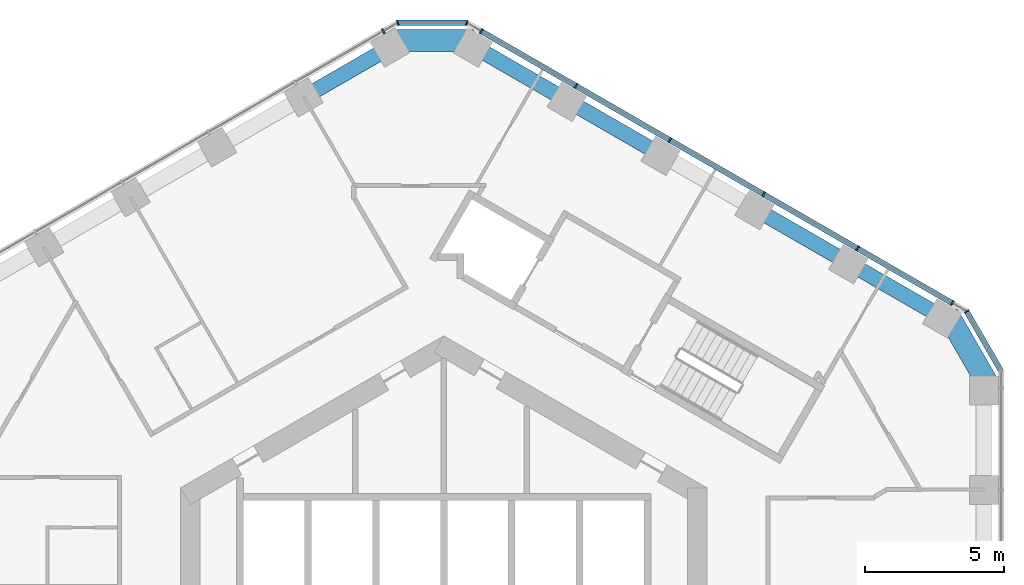
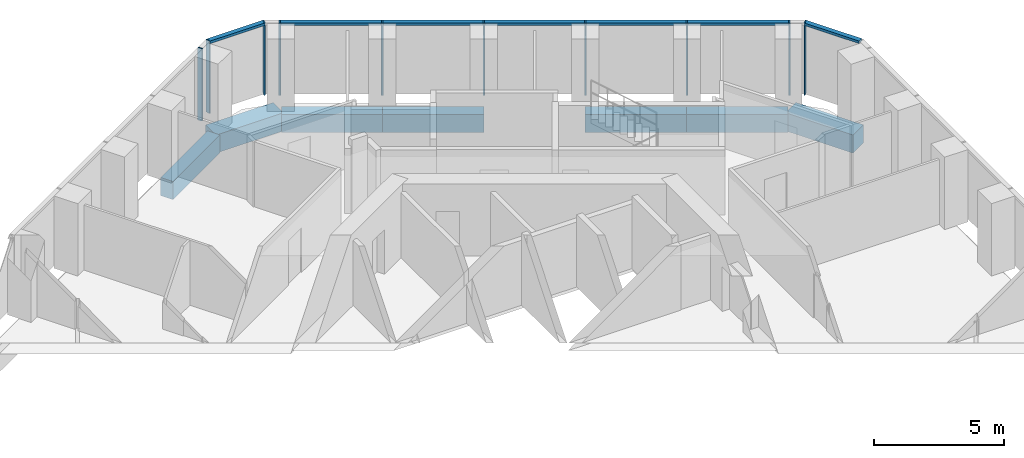
# One storey, part 7 of 19: 13 members, 7 beams, 4 elements without a shape of their own.
"""IFC4 building model written with IfcOpenShell, lengths in metres."""

from ifc_helpers import new_model, si_unit, direction, frame, origin, origin_2d, place, context, subcontext, project, spatial, rectangle, extrude, material, layer, layer_set, material_profile, profile_set, type_object, element, aggregate, save


model = new_model("IFC4")

# Units and contexts
model_context = context("Model", 3, precision=1e-05, world=origin(), true_north=direction((0.0, 1.0)))
body_context = subcontext(model_context, "Body", "Model", "MODEL_VIEW")
ifc_project = project(units=[si_unit("LENGTHUNIT", "METRE"), si_unit("AREAUNIT", "SQUARE_METRE"), si_unit("VOLUMEUNIT", "CUBIC_METRE"), si_unit("PLANEANGLEUNIT", "RADIAN"), si_unit("MASSUNIT", "GRAM", prefix="KILO")], contexts=[model_context])

# Site, building, storey
site_placement = place(None, origin())
site = spatial("IfcSite", under=ifc_project, at=site_placement, CompositionType="ELEMENT")
building_placement = place(site_placement, origin())
building = spatial("IfcBuilding", under=site, at=building_placement, Name="Ayvan Gate Tower", CompositionType="ELEMENT")
storey_placement = place(building_placement, frame((0.0, 0.0, 106.89990234375)))
storey = spatial("IfcBuildingStorey", under=building, at=storey_placement, Name="L28", CompositionType="ELEMENT", Elevation=106.89990234375)

# Beams
ifc_material_1 = material(Name="Concrete C40/50", Category="concrete")
ifc_material_profile_1 = material_profile(ifc_material_1, rectangle(XDim=0.800048828125, YDim=0.85009765625, at=origin_2d()), Name="RC 800x850")
ifc_profile_set_1 = profile_set([ifc_material_profile_1], Name="Concrete C40/50")
beam_type_1 = type_object("IfcBeamType", Name="Corner spandrel beam RC 800x850 C40/50", PredefinedType="BEAM", material=ifc_profile_set_1)
for number, where, z_axis, x_axis, name in (
    (1, (19.676025390625, 9.163818359375, -0.77490234375), (-0.499990139034, 0.866031096941, 0.0), (-0.866031096941, -0.499990139034, 0.0), "SB-L28-6"),
    (2, (1.09814453125, 21.621826171875, -0.77490234375), (-1.0, 0.0, 0.0), (0.0, -1.0, 0.0), "SB-L28-12"),
):
    element("IfcBeam", number, at=place(storey_placement, frame(where, z_axis=z_axis, x_axis=x_axis)), inside=storey, type_object=beam_type_1, Name=name, PredefinedType="BEAM", context=body_context, shape_type="SweptSolid", body=[
        extrude(rectangle(XDim=0.800048828125, YDim=0.85009765625, at=origin_2d()), origin(), (0.0, 0.0, 1.0), 3.0),
    ])
ifc_material_profile_2 = material_profile(ifc_material_1, rectangle(XDim=0.550048828125, YDim=0.85009765625, at=origin_2d()), Name="RC 550x850")
ifc_profile_set_2 = profile_set([ifc_material_profile_2], Name="Concrete C40/50")
beam_type_2 = type_object("IfcBeamType", Name="Spandrel beam RC 550x850 C40/50", PredefinedType="BEAM", material=ifc_profile_set_2)
for number, where, z_axis, x_axis, name in (
    (3, (17.985595703125, 11.65185546875, -0.77490234375), (-0.866000020948, 0.500043961785, 0.0), (-0.500043961785, -0.866000020948, 0.0), "SB-L28-7"),
    (4, (14.608154296875, 13.60205078125, -0.77490234375), (-0.866042777325, 0.499969906938, 0.0), (-0.499969906938, -0.866042777325, 0.0), "SB-L28-8"),
):
    element("IfcBeam", number, at=place(storey_placement, frame(where, z_axis=z_axis, x_axis=x_axis)), inside=storey, type_object=beam_type_2, Name=name, PredefinedType="BEAM", context=body_context, shape_type="SweptSolid", body=[
        extrude(rectangle(XDim=0.550048828125, YDim=0.85009765625, at=origin_2d()), origin(), (0.0, 0.0, 1.0), 3.900146484375),
    ])
for number, where, z_axis, x_axis, name in (
    (5, (7.85302734375, 17.501953125, -0.77490234375), (-0.866027128446, 0.499997012787, 0.0), (-0.499997012787, -0.866027128446, 0.0), "SB-L28-10"),
    (6, (4.4755859375, 19.451904296875, -0.77490234375), (-0.866027128446, 0.499997012787, 0.0), (-0.499997012787, -0.866027128446, 0.0), "SB-L28-11"),
):
    element("IfcBeam", number, at=place(storey_placement, frame(where, z_axis=z_axis, x_axis=x_axis)), inside=storey, type_object=beam_type_2, Name=name, PredefinedType="BEAM", context=body_context, shape_type="SweptSolid", body=[
        extrude(rectangle(XDim=0.550048828125, YDim=0.85009765625, at=origin_2d()), origin(), (0.0, 0.0, 1.0), 3.89990234375),
    ])
beam_placement = place(storey_placement, frame((-1.90185546875, 21.40185546875, -0.77490234375), z_axis=(-0.866031793627, -0.499988932305, 0.0), x_axis=(0.499988932305, -0.866031793627, 0.0)))
element("IfcBeam", 7, at=beam_placement, inside=storey, type_object=beam_type_2, Name="SB-L28-13", PredefinedType="BEAM", context=body_context, shape_type="SweptSolid", body=[
    extrude(rectangle(XDim=0.550048828125, YDim=0.85009765625, at=origin_2d()), origin(), (0.0, 0.0, 1.0), 3.62158203125),
])

# Curtain wall, member
ifc_material_2 = material(Name="Bronze anodised aluminium", Category="aluminium")
ifc_layer_1 = layer(ifc_material_2, 0.199951171875)
ifc_layer_set_1 = layer_set([ifc_layer_1], Name="Bronze anodised aluminium")
curtain_wall_type_1 = type_object("IfcCurtainWallType", Name="Stick curtain wall CW-1", PredefinedType="NOTDEFINED", material=ifc_layer_set_1)
curtain_wall_1_placement = place(storey_placement, origin())
curtain_wall_1 = element("IfcCurtainWall", 8, at=curtain_wall_1_placement, inside=storey, type_object=curtain_wall_type_1, Name="Stick curtain wall CW-1 L28", PredefinedType="NOTDEFINED")
ifc_material_profile_3 = material_profile(ifc_material_2, rectangle(XDim=0.199951171875, YDim=0.06005859375, at=origin_2d()), Name="Stick curtain wall CW-1 mullion 200 x 60")
ifc_profile_set_3 = profile_set([ifc_material_profile_3], Name="Bronze anodised aluminium")
member_type_1 = type_object("IfcMemberType", Name="Stick curtain wall CW-1 mullion 200 x 60", PredefinedType="MULLION", material=ifc_profile_set_3)
member_1_placement = place(storey_placement, frame((-2.1826171875, 21.96142578125, 0.0), z_axis=(0.0, 0.0, 1.0), x_axis=(-0.5, 0.866025403784, 0.0)))
member_1 = element("IfcMember", 9, at=member_1_placement, type_object=member_type_1, Name="CW-1 mullion 1", PredefinedType="MULLION", context=body_context, shape_type="SweptSolid", body=[
    extrude(rectangle(XDim=0.199951171875, YDim=0.06005859375, at=origin_2d()), origin(), (0.0, 0.0, 1.0), 3.400146484375),
])
aggregate(curtain_wall_1, [member_1])

# Curtain wall, members
curtain_wall_2_placement = place(storey_placement, origin())
curtain_wall_2 = element("IfcCurtainWall", 10, at=curtain_wall_2_placement, inside=storey, type_object=curtain_wall_type_1, Name="Stick curtain wall CW-1 L28", PredefinedType="NOTDEFINED")
member_2_placement = place(storey_placement, frame((18.34326171875, 12.1513671875, 0.0), z_axis=(0.0, 0.0, 1.0), x_axis=(0.5, 0.866025403784, 0.0)))
member_2 = element("IfcMember", 11, at=member_2_placement, type_object=member_type_1, Name="CW-1 mullion 1", PredefinedType="MULLION", context=body_context, shape_type="SweptSolid", body=[
    extrude(rectangle(XDim=0.199951171875, YDim=0.06005859375, at=origin_2d()), origin(), (0.0, 0.0, 1.0), 3.400146484375),
])
member_3_placement = place(storey_placement, frame((14.9267578125, 14.1240234375, 0.0), z_axis=(0.0, 0.0, 1.0), x_axis=(0.5, 0.866025403784, 0.0)))
member_3 = element("IfcMember", 12, at=member_3_placement, type_object=member_type_1, Name="CW-1 mullion 2", PredefinedType="MULLION", context=body_context, shape_type="SweptSolid", body=[
    extrude(rectangle(XDim=0.199951171875, YDim=0.06005859375, at=origin_2d()), origin(), (0.0, 0.0, 1.0), 3.400146484375),
])
member_4_placement = place(storey_placement, frame((11.540771484375, 16.078857421875, 0.0), z_axis=(0.0, 0.0, 1.0), x_axis=(0.5, 0.866025403784, 0.0)))
member_4 = element("IfcMember", 13, at=member_4_placement, type_object=member_type_1, Name="CW-1 mullion 3", PredefinedType="MULLION", context=body_context, shape_type="SweptSolid", body=[
    extrude(rectangle(XDim=0.199951171875, YDim=0.06005859375, at=origin_2d()), origin(), (0.0, 0.0, 1.0), 3.400146484375),
])
member_5_placement = place(storey_placement, frame((8.154541015625, 18.033935546875, 0.0), z_axis=(0.0, 0.0, 1.0), x_axis=(0.5, 0.866025403784, 0.0)))
member_5 = element("IfcMember", 14, at=member_5_placement, type_object=member_type_1, Name="CW-1 mullion 4", PredefinedType="MULLION", context=body_context, shape_type="SweptSolid", body=[
    extrude(rectangle(XDim=0.199951171875, YDim=0.06005859375, at=origin_2d()), origin(), (0.0, 0.0, 1.0), 3.400146484375),
])
member_6_placement = place(storey_placement, frame((4.768310546875, 19.989013671875, 0.0), z_axis=(0.0, 0.0, 1.0), x_axis=(0.5, 0.866025403784, 0.0)))
member_6 = element("IfcMember", 15, at=member_6_placement, type_object=member_type_1, Name="CW-1 mullion 5", PredefinedType="MULLION", context=body_context, shape_type="SweptSolid", body=[
    extrude(rectangle(XDim=0.199951171875, YDim=0.06005859375, at=origin_2d()), origin(), (0.0, 0.0, 1.0), 3.400146484375),
])
member_7_placement = place(storey_placement, frame((1.351806640625, 21.96142578125, 0.0), z_axis=(0.0, 0.0, 1.0), x_axis=(0.5, 0.866025403784, 0.0)))
member_7 = element("IfcMember", 16, at=member_7_placement, type_object=member_type_1, Name="CW-1 mullion 6", PredefinedType="MULLION", context=body_context, shape_type="SweptSolid", body=[
    extrude(rectangle(XDim=0.199951171875, YDim=0.06005859375, at=origin_2d()), origin(), (0.0, 0.0, 1.0), 3.400146484375),
])
ifc_material_profile_4 = material_profile(ifc_material_2, rectangle(XDim=0.199951171875, YDim=0.1201171875, at=origin_2d()), Name="Stick curtain wall CW-1 transom 200 x 120")
ifc_profile_set_4 = profile_set([ifc_material_profile_4], Name="Bronze anodised aluminium")
member_type_2 = type_object("IfcMemberType", Name="Stick curtain wall CW-1 transom 200 x 120", PredefinedType="USERDEFINED", material=ifc_profile_set_4)
member_8_placement = place(storey_placement, frame((18.34326171875, 12.1513671875, 3.340087890625), z_axis=(-0.866024577697, 0.500001430823, 0.0), x_axis=(-0.500001430823, -0.866024577697, 0.0)))
member_8 = element("IfcMember", 17, at=member_8_placement, type_object=member_type_2, Name="CW-1 transom 1", ObjectType="TRANSOM", PredefinedType="USERDEFINED", context=body_context, shape_type="SweptSolid", body=[
    extrude(rectangle(XDim=0.199951171875, YDim=0.1201171875, at=origin_2d()), origin(), (0.0, 0.0, 1.0), 19.6201171875),
])
aggregate(curtain_wall_2, [member_2, member_3, member_4, member_5, member_6, member_7, member_8])

# Curtain wall, member
ifc_layer_2 = layer(ifc_material_2, 0.199951171875)
ifc_layer_set_2 = layer_set([ifc_layer_2], Name="Bronze anodised aluminium")
curtain_wall_type_2 = type_object("IfcCurtainWallType", Name="Stick curtain wall CW-6", PredefinedType="NOTDEFINED", material=ifc_layer_set_2)
curtain_wall_3_placement = place(storey_placement, origin())
curtain_wall_3 = element("IfcCurtainWall", 18, at=curtain_wall_3_placement, inside=storey, type_object=curtain_wall_type_2, Name="Stick curtain wall CW-6 L28", PredefinedType="NOTDEFINED")
ifc_material_profile_5 = material_profile(ifc_material_2, rectangle(XDim=0.199951171875, YDim=0.050048828125, at=origin_2d()), Name="Stick curtain wall CW-6 mullion 200 x 50")
ifc_profile_set_5 = profile_set([ifc_material_profile_5], Name="Bronze anodised aluminium")
member_type_3 = type_object("IfcMemberType", Name="Stick curtain wall CW-6 mullion 200 x 50", PredefinedType="MULLION", material=ifc_profile_set_5)
member_9_placement = place(storey_placement, frame((18.8671875, 11.848876953125, 0.0), z_axis=(0.0, 0.0, 1.0), x_axis=(0.707106781187, 0.707106781187, 0.0)))
member_9 = element("IfcMember", 19, at=member_9_placement, type_object=member_type_3, Name="CW-6 mullion 3", PredefinedType="MULLION", context=body_context, shape_type="SweptSolid", body=[
    extrude(rectangle(XDim=0.199951171875, YDim=0.050048828125, at=origin_2d()), origin(), (0.0, 0.0, 1.0), 3.400146484375),
])

# Curtain wall, members
curtain_wall_4_placement = place(storey_placement, origin())
curtain_wall_4 = element("IfcCurtainWall", 20, at=curtain_wall_4_placement, inside=storey, type_object=curtain_wall_type_2, Name="Stick curtain wall CW-6 L28", PredefinedType="NOTDEFINED")
member_10_placement = place(storey_placement, frame((0.827880859375, 22.263916015625, 0.0), z_axis=(0.0, 0.0, 1.0), x_axis=(0.258819045103, 0.965925826289, 0.0)))
member_10 = element("IfcMember", 21, at=member_10_placement, type_object=member_type_3, Name="CW-6 mullion 2", PredefinedType="MULLION", context=body_context, shape_type="SweptSolid", body=[
    extrude(rectangle(XDim=0.199951171875, YDim=0.050048828125, at=origin_2d()), origin(), (0.0, 0.0, 1.0), 3.400146484375),
])
member_11_placement = place(storey_placement, frame((-1.65869140625, 22.263916015625, 0.0), z_axis=(0.0, 0.0, 1.0), x_axis=(-0.258819045103, 0.965925826289, 0.0)))
member_11 = element("IfcMember", 22, at=member_11_placement, type_object=member_type_3, Name="CW-6 mullion 3", PredefinedType="MULLION", context=body_context, shape_type="SweptSolid", body=[
    extrude(rectangle(XDim=0.199951171875, YDim=0.050048828125, at=origin_2d()), origin(), (0.0, 0.0, 1.0), 3.400146484375),
])

# Member
ifc_material_profile_6 = material_profile(ifc_material_2, rectangle(XDim=0.199951171875, YDim=0.1201171875, at=origin_2d()), Name="Stick curtain wall CW-6 transom 200 x 120")
ifc_profile_set_6 = profile_set([ifc_material_profile_6], Name="Bronze anodised aluminium")
member_type_4 = type_object("IfcMemberType", Name="Stick curtain wall CW-6 transom 200 x 120", PredefinedType="USERDEFINED", material=ifc_profile_set_6)
member_12_placement = place(storey_placement, frame((20.09814453125, 9.71728515625, 3.340087890625), z_axis=(-0.499997116, 0.866027068856, 0.0), x_axis=(-0.866027068856, -0.499997116, 0.0)))
member_12 = element("IfcMember", 23, at=member_12_placement, type_object=member_type_4, Name="CW-6 transom 2", ObjectType="TRANSOM", PredefinedType="USERDEFINED", context=body_context, shape_type="SweptSolid", body=[
    extrude(rectangle(XDim=0.199951171875, YDim=0.1201171875, at=origin_2d()), origin(), (0.0, 0.0, 1.0), 2.4365234375),
])

aggregate(curtain_wall_3, [member_9, member_12])

member_13_placement = place(storey_placement, frame((0.802734375, 22.263916015625, 3.340087890625), z_axis=(-1.0, 0.0, 0.0), x_axis=(0.0, -1.0, 0.0)))
member_13 = element("IfcMember", 24, at=member_13_placement, type_object=member_type_4, Name="CW-6 transom 2", ObjectType="TRANSOM", PredefinedType="USERDEFINED", context=body_context, shape_type="SweptSolid", body=[
    extrude(rectangle(XDim=0.199951171875, YDim=0.1201171875, at=origin_2d()), origin(), (0.0, 0.0, 1.0), 2.4365234375),
])

aggregate(curtain_wall_4, [member_10, member_11, member_13])

save(model, "model.ifc")
